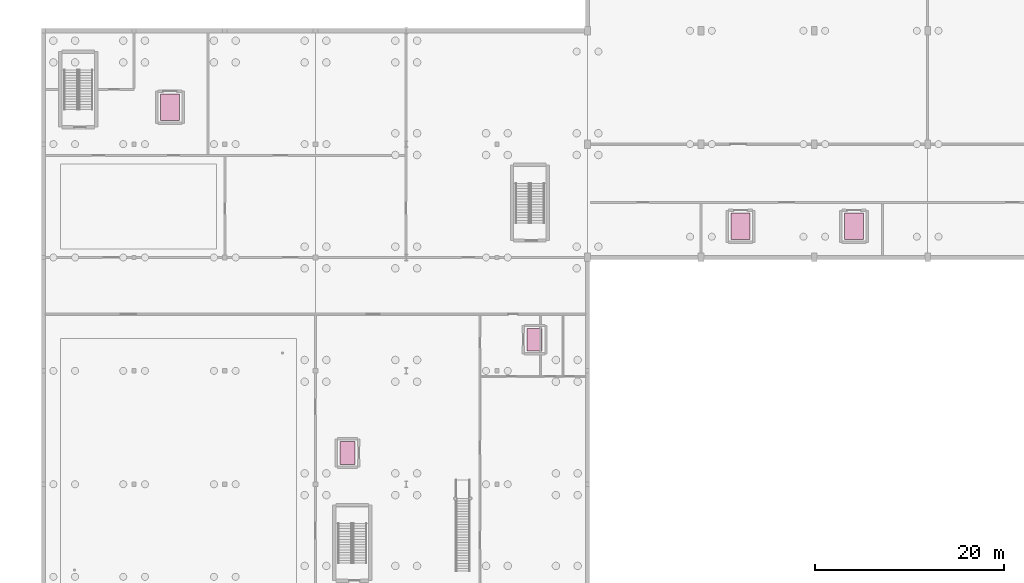
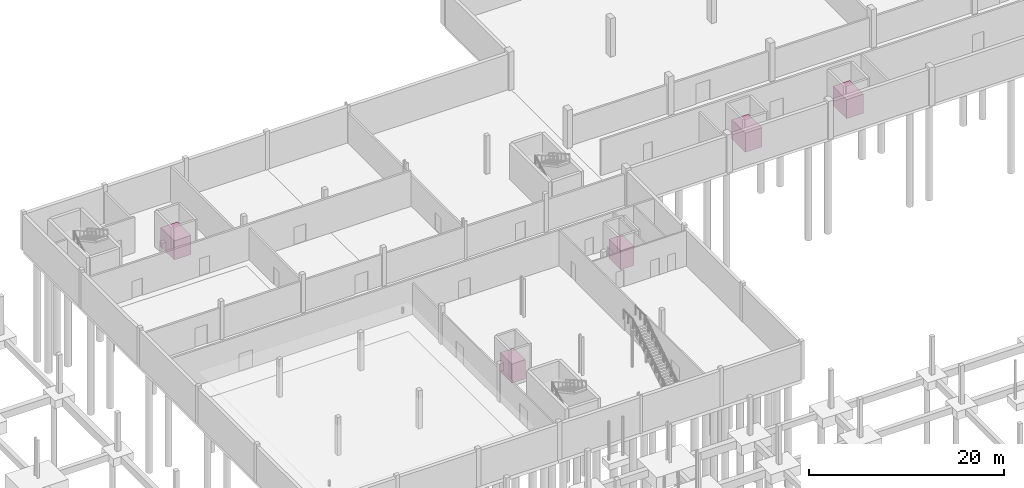
# One storey, part 31 of 31: 5 transport elements.
"""IFC4 building model written with IfcOpenShell, lengths in metres."""

from ifc_helpers import new_model, si_unit, direction, frame, origin, origin_2d, place, context, subcontext, project, spatial, rectangle, extrude, material, type_object, element, save


model = new_model("IFC4")

# Units and contexts
model_context = context("Model", 3, precision=1e-05, world=origin(), true_north=direction((0.0, 1.0)))
body_context = subcontext(model_context, "Body", "Model", "MODEL_VIEW")
ifc_project = project(units=[si_unit("LENGTHUNIT", "METRE"), si_unit("AREAUNIT", "SQUARE_METRE"), si_unit("VOLUMEUNIT", "CUBIC_METRE"), si_unit("PLANEANGLEUNIT", "RADIAN"), si_unit("MASSUNIT", "GRAM", prefix="KILO")], contexts=[model_context])

# Site, building, storey
site_placement = place(None, origin())
site = spatial("IfcSite", under=ifc_project, at=site_placement, CompositionType="ELEMENT")
building_placement = place(site_placement, origin())
building = spatial("IfcBuilding", under=site, at=building_placement, Name="Merenkruunu Market Hall", CompositionType="ELEMENT")
storey_placement = place(building_placement, frame((0.0, 0.0, -4.800048828125)))
storey = spatial("IfcBuildingStorey", under=building, at=storey_placement, Name="B1", CompositionType="ELEMENT", Elevation=-4.800048828125)

# Transport elements
ifc_material = material(Name="Brushed stainless steel", Category="steel")
transport_element_type_1 = type_object("IfcTransportElementType", Name="Market Pallet Goods Lift LFT02", PredefinedType="ELEVATOR", material=ifc_material)
for number, where, z_axis, x_axis, name in (
    (1, (32.60009765625, 103.5, 0.0), (0.0, 0.0, 1.0), (1.0, 0.0, 0.0), "Elevator LG1"),
    (2, (93.0, 90.89990234375, 0.0), (0.0, 0.0, 1.0), (1.0, 0.0, 0.0), "Elevator LG2"),
    (3, (105.0, 90.89990234375, 0.0), (0.0, 0.0, 1.0), (1.0, 0.0, 0.0), "Elevator LG3"),
):
    element("IfcTransportElement", number, at=place(storey_placement, frame(where, z_axis=z_axis, x_axis=x_axis)), inside=storey, type_object=transport_element_type_1, Name=name, PredefinedType="ELEVATOR", context=body_context, shape_type="SweptSolid", body=[
        extrude(rectangle(XDim=2.0, YDim=2.800048828125, at=origin_2d()), origin(), (0.0, 0.0, 1.0), 2.39990234375),
    ])
transport_element_type_2 = type_object("IfcTransportElementType", Name="Public Stretcher Lift LFT01", PredefinedType="ELEVATOR", material=ifc_material)
for number, where, z_axis, x_axis, name in (
    (4, (51.39990234375, 66.89990234375, 0.0), (0.0, 0.0, 1.0), (1.0, 0.0, 0.0), "Elevator LP1"),
    (5, (71.199951171875, 78.89990234375, 0.0), (0.0, 0.0, 1.0), (1.0, 0.0, 0.0), "Elevator LP2"),
):
    element("IfcTransportElement", number, at=place(storey_placement, frame(where, z_axis=z_axis, x_axis=x_axis)), inside=storey, type_object=transport_element_type_2, Name=name, PredefinedType="ELEVATOR", context=body_context, shape_type="SweptSolid", body=[
        extrude(rectangle(XDim=1.60009765625, YDim=2.39990234375, at=origin_2d()), origin(), (0.0, 0.0, 1.0), 2.39990234375),
    ])

save(model, "model.ifc")
